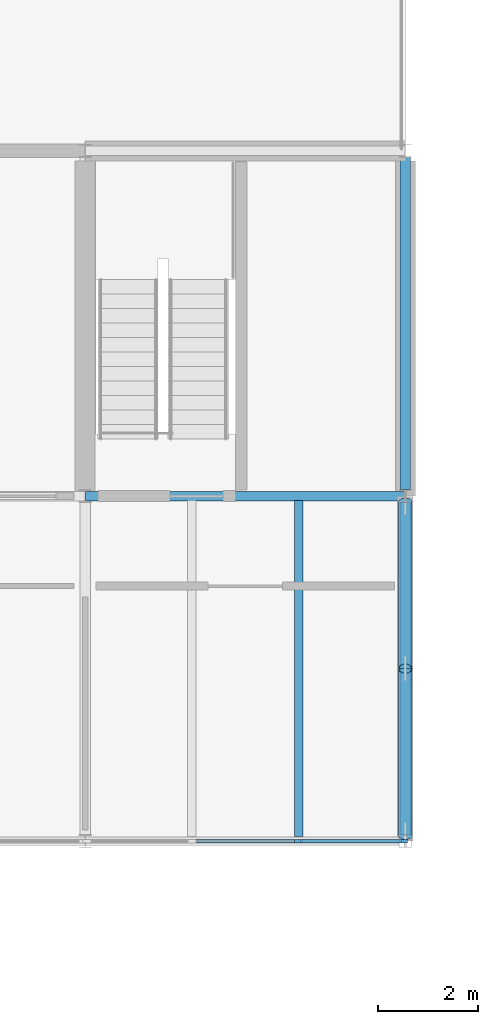
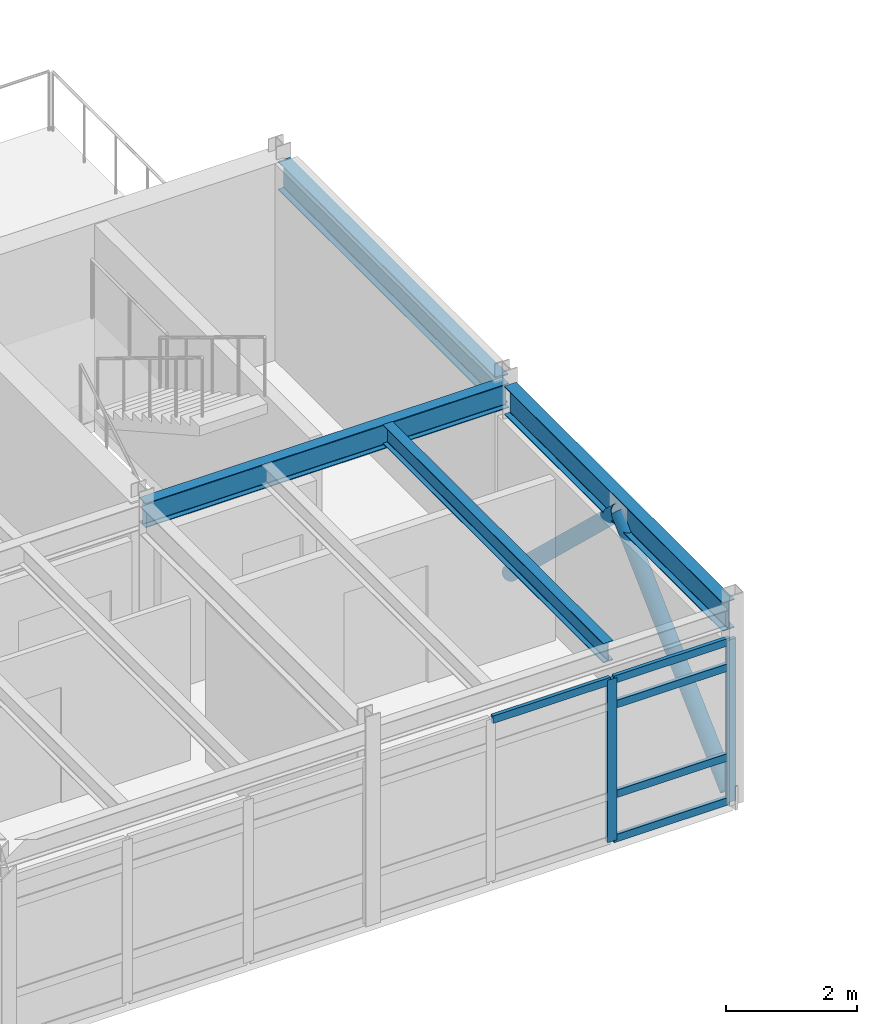
# One storey, part 8 of 20: 9 members, 4 beams, 1 element without a shape of its own.
"""IFC4 building model written with IfcOpenShell, lengths in metres."""

from ifc_helpers import new_model, si_unit, direction, frame, origin, origin_2d, place, context, subcontext, project, spatial, rectangle, hollow_circle, i_section, extrude, material, layer, layer_set, material_profile, profile_set, type_object, element, aggregate, save


model = new_model("IFC4")

# Units and contexts
model_context = context("Model", 3, precision=1e-05, world=origin(), true_north=direction((0.0, 1.0)))
body_context = subcontext(model_context, "Body", "Model", "MODEL_VIEW")
ifc_project = project(units=[si_unit("LENGTHUNIT", "METRE"), si_unit("AREAUNIT", "SQUARE_METRE"), si_unit("VOLUMEUNIT", "CUBIC_METRE"), si_unit("PLANEANGLEUNIT", "RADIAN"), si_unit("MASSUNIT", "GRAM", prefix="KILO")], contexts=[model_context])

# Site, building, storey
site_placement = place(None, origin())
site = spatial("IfcSite", under=ifc_project, at=site_placement, CompositionType="ELEMENT")
building_placement = place(site_placement, origin())
building = spatial("IfcBuilding", under=site, at=building_placement, Name="Trelmorton Wharf Fire Station", CompositionType="ELEMENT")
storey_placement = place(building_placement, frame((0.0, 0.0, 21.300048828125)))
storey = spatial("IfcBuildingStorey", under=building, at=storey_placement, Name="L05", CompositionType="ELEMENT", Elevation=21.300048828125)

# Beams
ifc_material_1 = material(Name="Steel Grade 350", Category="steel")
ifc_material_profile_1 = material_profile(ifc_material_1, i_section(OverallWidth=0.18994140625, OverallDepth=0.45703125, WebThickness=0.009033203125, FlangeThickness=0.014404296875, FilletRadius=0.011474609375, at=origin_2d()), Name="460UB74.6")
ifc_profile_set_1 = profile_set([ifc_material_profile_1], Name="Steel Grade 350")
beam_type_1 = type_object("IfcBeamType", Name="BM_460UB75", PredefinedType="BEAM", material=ifc_profile_set_1)
beam_1_placement = place(storey_placement, frame((83.60400390625, 67.199951171875, 3.4013671875), z_axis=(1.0, 0.0, 0.0), x_axis=(0.0, 1.0, 0.0)))
element("IfcBeam", 1, at=beam_1_placement, inside=storey, type_object=beam_type_1, Name="BM-L05-1157", PredefinedType="BEAM", context=body_context, shape_type="SweptSolid", body=[
    extrude(i_section(OverallWidth=0.18994140625, OverallDepth=0.45703125, WebThickness=0.009033203125, FlangeThickness=0.014404296875, FilletRadius=0.011474609375, at=origin_2d()), origin(), (0.0, 0.0, 1.0), 6.39208984375),
])
ifc_material_profile_2 = material_profile(ifc_material_1, i_section(OverallWidth=0.208984375, OverallDepth=0.532958984375, WebThickness=0.01025390625, FlangeThickness=0.015625, FilletRadius=0.013916015625, at=origin_2d()), Name="530UB92.4")
ifc_profile_set_2 = profile_set([ifc_material_profile_2], Name="Steel Grade 350")
beam_type_2 = type_object("IfcBeamType", Name="BM_530UB92", PredefinedType="BEAM", material=ifc_profile_set_2)
beam_2_placement = place(storey_placement, frame((90.0, 60.4208984375, 3.363525390625), z_axis=(0.0, 1.0, 0.0), x_axis=(-1.0, 0.0, 0.0)))
element("IfcBeam", 2, at=beam_2_placement, inside=storey, type_object=beam_type_2, Name="BM-L05-1167", PredefinedType="BEAM", context=body_context, shape_type="SweptSolid", body=[
    extrude(i_section(OverallWidth=0.208984375, OverallDepth=0.532958984375, WebThickness=0.01025390625, FlangeThickness=0.015625, FilletRadius=0.013916015625, at=origin_2d()), origin(), (0.0, 0.0, 1.0), 6.653076171875),
])
beam_3_placement = place(storey_placement, frame((90.0, 67.325927734375, 3.363525390625), z_axis=(0.0, 1.0, 0.0), x_axis=(-1.0, 0.0, 0.0)))
element("IfcBeam", 3, at=beam_3_placement, inside=storey, type_object=beam_type_2, Name="BM-L05-1168", PredefinedType="BEAM", context=body_context, shape_type="SweptSolid", body=[
    extrude(i_section(OverallWidth=0.208984375, OverallDepth=0.532958984375, WebThickness=0.01025390625, FlangeThickness=0.015625, FilletRadius=0.013916015625, at=origin_2d()), origin(), (0.0, 0.0, 1.0), 6.648193359375),
])

# Members
ifc_material_2 = material(Name="Steel C350L0 (350 MPa)", Category="steel")
ifc_material_profile_3 = material_profile(ifc_material_2, hollow_circle(Radius=0.136474609375, WallThickness=0.00927734375, at=origin_2d()), Name="273.1x9.3CHS")
ifc_profile_set_3 = profile_set([ifc_material_profile_3], Name="Steel C350L0 (350 MPa)")
member_type_1 = type_object("IfcMemberType", Name="BR_273CHS", PredefinedType="BRACE", material=ifc_profile_set_3)
member_1_placement = place(storey_placement, frame((90.0, 60.422119140625, 0.119873046875), z_axis=(0.0, 0.725144192086, 0.68859705248), x_axis=(-1.0, 0.0, 0.0)))
element("IfcMember", 4, at=member_1_placement, inside=storey, type_object=member_type_1, Name="CBF-V2-E-L05-A", PredefinedType="BRACE", context=body_context, shape_type="SweptSolid", body=[
    extrude(hollow_circle(Radius=0.136474609375, WallThickness=0.00927734375, at=origin_2d()), origin(), (0.0, 0.0, 1.0), 4.58935546875),
])
member_2_placement = place(storey_placement, frame((90.0, 67.072998046875, 0.119873046875), z_axis=(0.0, -0.724639112653, 0.68912854854), x_axis=(1.0, 0.0, 0.0)))
element("IfcMember", 5, at=member_2_placement, inside=storey, type_object=member_type_1, Name="CBF-V2-E-L05-B", PredefinedType="BRACE", context=body_context, shape_type="SweptSolid", body=[
    extrude(hollow_circle(Radius=0.136474609375, WallThickness=0.00927734375, at=origin_2d()), origin(), (0.0, 0.0, 1.0), 4.585693359375),
])

# Curtain wall, members
ifc_material_3 = material(Name="Anodised aluminium AW-6063", Category="aluminium")
ifc_layer = layer(ifc_material_3, 0.159912109375)
ifc_layer_set = layer_set([ifc_layer], Name="Anodised aluminium AW-6063")
curtain_wall_type = type_object("IfcCurtainWallType", Name="CW_CHIC_A", PredefinedType="USERDEFINED", material=ifc_layer_set)
curtain_wall_placement = place(storey_placement, origin())
curtain_wall = element("IfcCurtainWall", 6, at=curtain_wall_placement, inside=storey, type_object=curtain_wall_type, Name="CW-V2-L05-109", ObjectType="CHICAGO BAY CURTAIN WALL", PredefinedType="USERDEFINED")
ifc_material_profile_4 = material_profile(ifc_material_3, rectangle(XDim=0.06494140625, YDim=0.159912109375, at=origin_2d()), Name="ALU-65x160")
ifc_profile_set_4 = profile_set([ifc_material_profile_4], Name="Anodised aluminium AW-6063")
member_type_2 = type_object("IfcMemberType", Name="CWM_65x160", PredefinedType="MULLION", material=ifc_profile_set_4)
member_3_placement = place(storey_placement, frame((89.965087890625, 60.300048828125, 0.0), z_axis=(0.0, 0.0, 1.0), x_axis=(0.0, -1.0, 0.0)))
member_3 = element("IfcMember", 7, at=member_3_placement, type_object=member_type_2, Name="CW1 mullion 1", PredefinedType="MULLION", context=body_context, shape_type="SweptSolid", body=[
    extrude(rectangle(XDim=0.06494140625, YDim=0.159912109375, at=origin_2d()), origin(), (0.0, 0.0, 1.0), 3.02001953125),
])
member_4_placement = place(storey_placement, frame((87.864990234375, 60.300048828125, 0.0), z_axis=(0.0, 0.0, 1.0), x_axis=(0.0, -1.0, 0.0)))
member_4 = element("IfcMember", 8, at=member_4_placement, type_object=member_type_2, Name="CW1 mullion 2", PredefinedType="MULLION", context=body_context, shape_type="SweptSolid", body=[
    extrude(rectangle(XDim=0.06494140625, YDim=0.159912109375, at=origin_2d()), origin(), (0.0, 0.0, 1.0), 3.02001953125),
])
ifc_material_profile_5 = material_profile(ifc_material_3, rectangle(XDim=0.06494140625, YDim=0.139892578125, at=origin_2d()), Name="ALU-65x140")
ifc_profile_set_5 = profile_set([ifc_material_profile_5], Name="Anodised aluminium AW-6063")
member_type_3 = type_object("IfcMemberType", Name="CWT_65x140", PredefinedType="USERDEFINED", material=ifc_profile_set_5)
member_5_placement = place(storey_placement, frame((89.93505859375, 60.300048828125, 0.030029296875), z_axis=(-1.0, 0.0, 0.0), x_axis=(0.0, -1.0, 0.0)))
member_5 = element("IfcMember", 9, at=member_5_placement, type_object=member_type_3, Name="CW1 transom 1.1", ObjectType="TRANSOM", PredefinedType="USERDEFINED", context=body_context, shape_type="SweptSolid", body=[
    extrude(rectangle(XDim=0.06494140625, YDim=0.139892578125, at=origin_2d()), origin(), (0.0, 0.0, 1.0), 2.0400390625),
])
member_6_placement = place(storey_placement, frame((89.93505859375, 60.300048828125, 0.849853515625), z_axis=(-1.0, 0.0, 0.0), x_axis=(0.0, -1.0, 0.0)))
member_6 = element("IfcMember", 10, at=member_6_placement, type_object=member_type_3, Name="CW1 transom 1.2", ObjectType="TRANSOM", PredefinedType="USERDEFINED", context=body_context, shape_type="SweptSolid", body=[
    extrude(rectangle(XDim=0.06494140625, YDim=0.139892578125, at=origin_2d()), origin(), (0.0, 0.0, 1.0), 2.0400390625),
])
member_7_placement = place(storey_placement, frame((89.93505859375, 60.300048828125, 2.52001953125), z_axis=(-1.0, 0.0, 0.0), x_axis=(0.0, -1.0, 0.0)))
member_7 = element("IfcMember", 11, at=member_7_placement, type_object=member_type_3, Name="CW1 transom 1.3", ObjectType="TRANSOM", PredefinedType="USERDEFINED", context=body_context, shape_type="SweptSolid", body=[
    extrude(rectangle(XDim=0.06494140625, YDim=0.139892578125, at=origin_2d()), origin(), (0.0, 0.0, 1.0), 2.0400390625),
])
member_8_placement = place(storey_placement, frame((89.93505859375, 60.300048828125, 2.989990234375), z_axis=(-1.0, 0.0, 0.0), x_axis=(0.0, -1.0, 0.0)))
member_8 = element("IfcMember", 12, at=member_8_placement, type_object=member_type_3, Name="CW1 transom 1.4", ObjectType="TRANSOM", PredefinedType="USERDEFINED", context=body_context, shape_type="SweptSolid", body=[
    extrude(rectangle(XDim=0.06494140625, YDim=0.139892578125, at=origin_2d()), origin(), (0.0, 0.0, 1.0), 2.0400390625),
])
member_9_placement = place(storey_placement, frame((87.8349609375, 60.300048828125, 2.989990234375), z_axis=(-1.0, 0.0, 0.0), x_axis=(0.0, -1.0, 0.0)))
member_9 = element("IfcMember", 13, at=member_9_placement, type_object=member_type_3, Name="CW1 transom 2.4", ObjectType="TRANSOM", PredefinedType="USERDEFINED", context=body_context, shape_type="SweptSolid", body=[
    extrude(rectangle(XDim=0.06494140625, YDim=0.139892578125, at=origin_2d()), origin(), (0.0, 0.0, 1.0), 2.070068359375),
])
aggregate(curtain_wall, [member_3, member_4, member_5, member_6, member_7, member_8, member_9])

# Beam
ifc_material_profile_6 = material_profile(ifc_material_1, i_section(OverallWidth=0.172119140625, OverallDepth=0.35888671875, WebThickness=0.008056640625, FlangeThickness=0.012939453125, FilletRadius=0.011474609375, at=origin_2d()), Name="360UB56.7")
ifc_profile_set_6 = profile_set([ifc_material_profile_6], Name="Steel Grade 350")
beam_type_3 = type_object("IfcBeamType", Name="JS_360UB57", PredefinedType="JOIST", material=ifc_profile_set_6)
beam_4_placement = place(storey_placement, frame((87.86669921875, 60.389892578125, 3.450439453125), z_axis=(0.0, 1.0, 0.0), x_axis=(-1.0, 0.0, 0.0)))
element("IfcBeam", 14, at=beam_4_placement, inside=storey, type_object=beam_type_3, Name="JS-L05-0418", PredefinedType="JOIST", context=body_context, shape_type="SweptSolid", body=[
    extrude(i_section(OverallWidth=0.172119140625, OverallDepth=0.35888671875, WebThickness=0.008056640625, FlangeThickness=0.012939453125, FilletRadius=0.011474609375, at=origin_2d()), origin(), (0.0, 0.0, 1.0), 6.72021484375),
])

save(model, "model.ifc")
